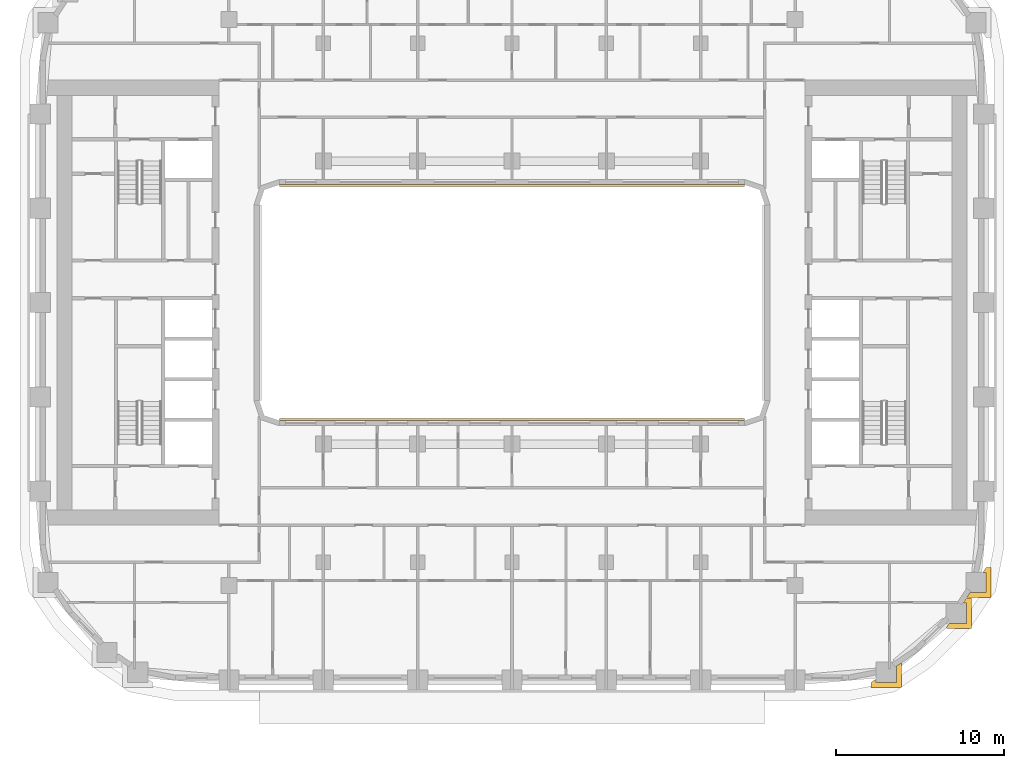
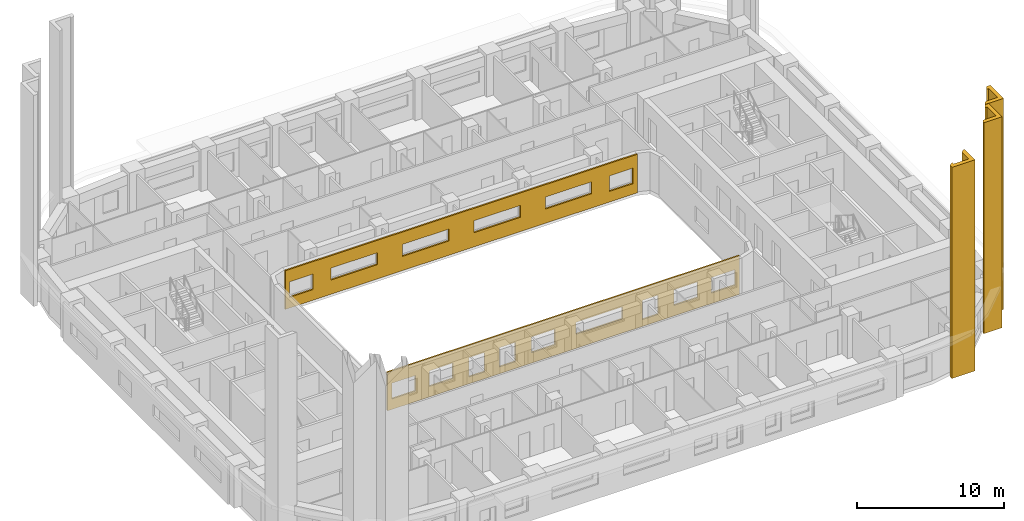
# One storey, part 17 of 23: 5 coverings.
"""IFC4 building model written with IfcOpenShell, lengths in metres."""

from ifc_helpers import new_model, si_unit, direction, frame, origin, place, context, subcontext, project, spatial, polyline, outline, extrude, material, layer, layer_set, type_object, element, save


model = new_model("IFC4")

# Units and contexts
model_context = context("Model", 3, precision=1e-05, world=origin(), true_north=direction((0.0, 1.0)))
body_context = subcontext(model_context, "Body", "Model", "MODEL_VIEW")
ifc_project = project(units=[si_unit("LENGTHUNIT", "METRE"), si_unit("AREAUNIT", "SQUARE_METRE"), si_unit("VOLUMEUNIT", "CUBIC_METRE"), si_unit("PLANEANGLEUNIT", "RADIAN"), si_unit("MASSUNIT", "GRAM", prefix="KILO")], contexts=[model_context])

# Site, building, storey
site_placement = place(None, origin())
site = spatial("IfcSite", under=ifc_project, at=site_placement, CompositionType="ELEMENT")
building_placement = place(site_placement, origin())
building = spatial("IfcBuilding", under=site, at=building_placement, Name="Kiln Ring Residences", CompositionType="ELEMENT")
storey_placement = place(building_placement, frame((0.0, 0.0, 107.800048828125)))
storey = spatial("IfcBuildingStorey", under=building, at=storey_placement, Name="L27", CompositionType="ELEMENT", Elevation=107.800048828125)

# Coverings
ifc_material_1 = material(Name="Brick masonry, dark clay brick", Category="masonry")
ifc_layer_1 = layer(ifc_material_1, 0.300048828125)
ifc_layer_set_1 = layer_set([ifc_layer_1], Name="PIER CLADDING 300")
covering_type_1 = type_object("IfcCoveringType", Name="PIER CLADDING 300", PredefinedType="CLADDING", material=ifc_layer_set_1)
placement = place(storey_placement, origin())
element("IfcCovering", 1, at=placement, inside=storey, type_object=covering_type_1, Name="PIER CLADDING L27-L31", PredefinedType="CLADDING", context=body_context, shape_type="SweptSolid", body=[
    extrude(outline(polyline([(21.608642578125, -22.345947265625), (21.30859375, -22.5498046875), (21.30859375, -22.838134765625), (23.108642578125, -22.838134765625), (23.108642578125, -21.37451171875), (22.80859375, -21.578369140625), (22.80859375, -22.5380859375), (21.608642578125, -22.5380859375), (21.608642578125, -22.345947265625)])), origin(), (0.0, 0.0, 1.0), 17.5),
])
element("IfcCovering", 2, at=placement, inside=storey, type_object=covering_type_1, Name="PIER CLADDING L27-L31", PredefinedType="CLADDING", context=body_context, shape_type="SweptSolid", body=[
    extrude(outline(polyline([(27.259765625, -19.340087890625), (27.259765625, -17.540283203125), (26.971435546875, -17.540283203125), (26.767578125, -17.840087890625), (26.959716796875, -17.840087890625), (26.959716796875, -19.040283203125), (25.951904296875, -19.040283203125), (25.78759765625, -19.2822265625), (25.845458984375, -19.340087890625), (27.259765625, -19.340087890625)])), origin(), (0.0, 0.0, 1.0), 17.5),
])
element("IfcCovering", 3, at=placement, inside=storey, type_object=covering_type_1, Name="PIER CLADDING L27-L31", PredefinedType="CLADDING", context=body_context, shape_type="SweptSolid", body=[
    extrude(outline(polyline([(28.43798828125, -17.5087890625), (28.43798828125, -15.708740234375), (28.14990234375, -15.708740234375), (27.94580078125, -16.0087890625), (28.13818359375, -16.0087890625), (28.13818359375, -17.208740234375), (27.178466796875, -17.208740234375), (26.974609375, -17.5087890625), (28.43798828125, -17.5087890625)])), origin(), (0.0, 0.0, 1.0), 17.5),
])
ifc_material_2 = material(Name="Brick masonry, dark clay brick", Category="masonry")
ifc_layer_2 = layer(ifc_material_2, 0.1201171875)
ifc_layer_set_2 = layer_set([ifc_layer_2], Name="RAINSCREEN PANEL 120")
covering_type_2 = type_object("IfcCoveringType", Name="RAINSCREEN PANEL 120", PredefinedType="CLADDING", material=ifc_layer_set_2)
covering_4_placement = place(storey_placement, frame((-13.800048828125, 6.93994140625, 0.0), z_axis=(0.0, 0.0, 1.0), x_axis=(1.0, 0.0, 0.0)))
element("IfcCovering", 4, at=covering_4_placement, inside=storey, type_object=covering_type_2, Name="RAINSCREEN L27", PredefinedType="CLADDING", context=body_context, shape_type="SweptSolid", body=[
    extrude(outline(polyline([(0.0, 0.0), (27.60009765625, 0.0), (27.60009765625, 3.199951171875), (0.0, 3.199951171875), (0.0, 0.0)]), holes=[polyline([(2.1826171875, 0.8798828125), (2.1826171875, 2.169921875), (0.342529296875, 2.169921875), (0.342529296875, 0.8798828125), (2.1826171875, 0.8798828125)]), polyline([(25.41748046875, 0.8798828125), (27.257568359375, 0.8798828125), (27.257568359375, 2.169921875), (25.41748046875, 2.169921875), (25.41748046875, 0.8798828125)]), polyline([(3.580078125, 1.179931640625), (7.219970703125, 1.179931640625), (7.219970703125, 2.169921875), (3.580078125, 2.169921875), (3.580078125, 1.179931640625)]), polyline([(12.820068359375, 1.179931640625), (12.820068359375, 2.169921875), (9.179931640625, 2.169921875), (9.179931640625, 1.179931640625), (12.820068359375, 1.179931640625)]), polyline([(14.780029296875, 1.179931640625), (18.419921875, 1.179931640625), (18.419921875, 2.169921875), (14.780029296875, 2.169921875), (14.780029296875, 1.179931640625)]), polyline([(20.3798828125, 1.179931640625), (24.02001953125, 1.179931640625), (24.02001953125, 2.169921875), (20.3798828125, 2.169921875), (20.3798828125, 1.179931640625)])]), frame((0.0, 0.06005859375, 0.0), z_axis=(0.0, -1.0, 0.0), x_axis=(1.0, 0.0, 0.0)), (0.0, 0.0, 1.0), 0.1201171875),
])
covering_5_placement = place(storey_placement, frame((13.800048828125, -6.93994140625, 0.0), z_axis=(0.0, 0.0, 1.0), x_axis=(-1.0, 0.0, 0.0)))
element("IfcCovering", 5, at=covering_5_placement, inside=storey, type_object=covering_type_2, Name="RAINSCREEN L27", PredefinedType="CLADDING", context=body_context, shape_type="SweptSolid", body=[
    extrude(outline(polyline([(0.0, 0.0), (27.60009765625, 0.0), (27.60009765625, 3.199951171875), (0.0, 3.199951171875), (0.0, 0.0)]), holes=[polyline([(6.3798828125, 0.579833984375), (7.6201171875, 0.579833984375), (7.6201171875, 2.169921875), (6.3798828125, 2.169921875), (6.3798828125, 0.579833984375)]), polyline([(17.580078125, 0.579833984375), (18.820068359375, 0.579833984375), (18.820068359375, 2.169921875), (17.580078125, 2.169921875), (17.580078125, 0.579833984375)]), polyline([(19.97998046875, 0.579833984375), (21.219970703125, 0.579833984375), (21.219970703125, 2.169921875), (19.97998046875, 2.169921875), (19.97998046875, 0.579833984375)]), polyline([(0.342529296875, 0.8798828125), (2.1826171875, 0.8798828125), (2.1826171875, 2.169921875), (0.342529296875, 2.169921875), (0.342529296875, 0.8798828125)]), polyline([(3.280029296875, 0.8798828125), (5.1201171875, 0.8798828125), (5.1201171875, 2.169921875), (3.280029296875, 2.169921875), (3.280029296875, 0.8798828125)]), polyline([(14.47998046875, 0.8798828125), (16.320068359375, 0.8798828125), (16.320068359375, 2.169921875), (14.47998046875, 2.169921875), (14.47998046875, 0.8798828125)]), polyline([(22.47998046875, 0.8798828125), (24.320068359375, 0.8798828125), (24.320068359375, 2.169921875), (22.47998046875, 2.169921875), (22.47998046875, 0.8798828125)]), polyline([(25.41748046875, 2.169921875), (25.41748046875, 0.8798828125), (27.257568359375, 0.8798828125), (27.257568359375, 2.169921875), (25.41748046875, 2.169921875)]), polyline([(9.179931640625, 2.169921875), (9.179931640625, 1.179931640625), (12.820068359375, 1.179931640625), (12.820068359375, 2.169921875), (9.179931640625, 2.169921875)])]), frame((0.0, 0.06005859375, 0.0), z_axis=(0.0, -1.0, 0.0), x_axis=(1.0, 0.0, 0.0)), (0.0, 0.0, 1.0), 0.1201171875),
])

save(model, "model.ifc")
